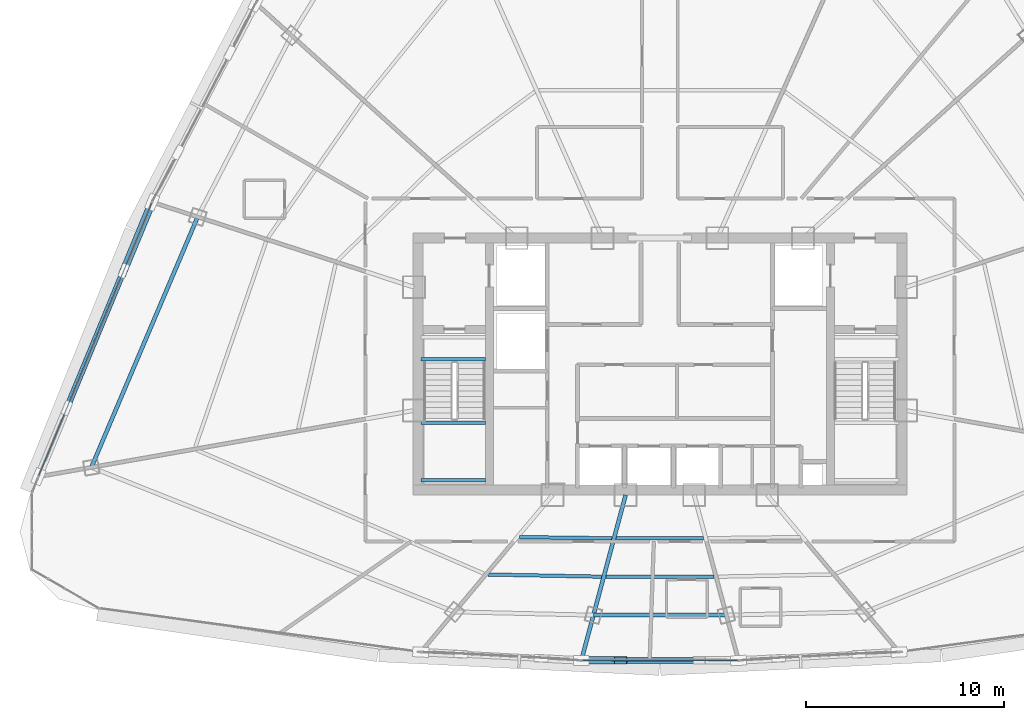
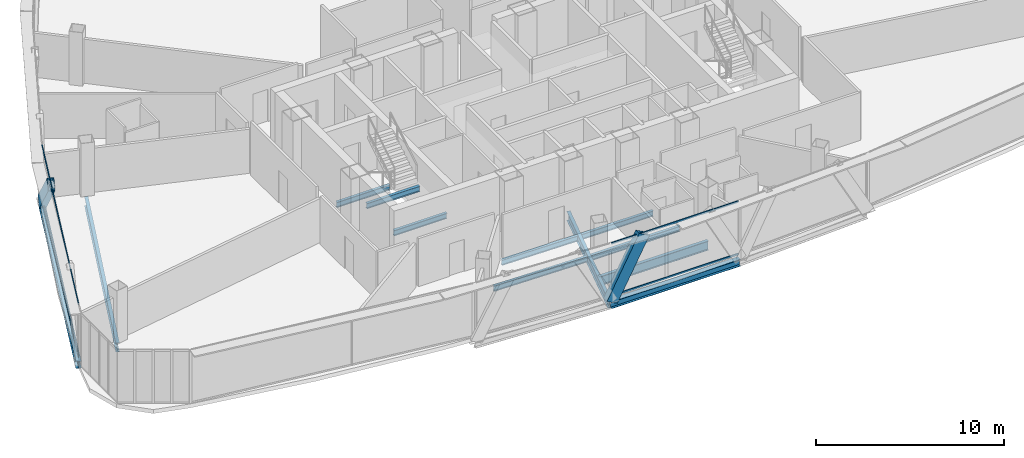
# One storey, part 7 of 40: 12 beams, 6 members, 2 elements without a shape of their own.
"""IFC4 building model written with IfcOpenShell, lengths in metres."""

from ifc_helpers import new_model, si_unit, direction, frame, origin, origin_2d, place, context, subcontext, project, spatial, hollow_rectangle, i_section, extrude, source, transform, mapped, material, layer, layer_set, material_profile, profile_set, type_object, element, aggregate, save


model = new_model("IFC4")

# Units and contexts
model_context = context("Model", 3, precision=1e-05, world=origin(), true_north=direction((0.0, 1.0)))
body_context = subcontext(model_context, "Body", "Model", "MODEL_VIEW")
ifc_project = project(units=[si_unit("LENGTHUNIT", "METRE"), si_unit("AREAUNIT", "SQUARE_METRE"), si_unit("VOLUMEUNIT", "CUBIC_METRE"), si_unit("PLANEANGLEUNIT", "RADIAN"), si_unit("MASSUNIT", "GRAM", prefix="KILO"), si_unit("THERMODYNAMICTEMPERATUREUNIT", "KELVIN"), si_unit("POWERUNIT", "WATT")], contexts=[model_context])

# Site, building, storey
site_placement = place(None, origin())
site = spatial("IfcSite", under=ifc_project, at=site_placement, CompositionType="ELEMENT")
building_placement = place(site_placement, origin())
building = spatial("IfcBuilding", under=site, at=building_placement, Name="Yunzhuo Pagoda Commons", CompositionType="ELEMENT")
storey_placement = place(building_placement, frame((0.0, 0.0, 288.75)))
storey = spatial("IfcBuildingStorey", under=building, at=storey_placement, Name="L72", CompositionType="ELEMENT", Elevation=288.75)

# Beams
ifc_material_1 = material(Name="Structural steel Q355B", Category="steel")
ifc_material_profile_1 = material_profile(ifc_material_1, i_section(OverallWidth=0.175048828125, OverallDepth=0.35009765625, WebThickness=0.007080078125, FlangeThickness=0.010986328125, at=origin_2d()), Name="Structural steel Q355B")
ifc_profile_set_1 = profile_set([ifc_material_profile_1], Name="Structural steel Q355B")
beam_type_1 = type_object("IfcBeamType", Name="B-JS2 Joist HN 350x175x7x11", PredefinedType="JOIST", material=ifc_profile_set_1)
shared_shape_1 = source(origin(), body_context, "Body", "SweptSolid", [
    extrude(i_section(OverallWidth=0.175048828125, OverallDepth=0.35009765625, WebThickness=0.007080078125, FlangeThickness=0.010986328125, at=origin_2d()), origin(), (0.0, 0.0, 1.0), 3.25),
])
for number, where, z_axis, x_axis, name in (
    (1, (35.949951171875, 28.0, 1.489990234375), (1.0, 0.0, 0.0), (0.0, 1.0, 0.0), "L72 ST1 landing support beam 78A"),
    (2, (35.949951171875, 30.89990234375, 1.489990234375), (1.0, 0.0, 0.0), (0.0, 1.0, 0.0), "L72 ST1 landing support beam 78B"),
    (3, (35.949951171875, 34.10009765625, -0.375), (1.0, 0.0, 0.0), (0.0, 1.0, 0.0), "L72 ST1 landing support beam 176A"),
):
    element("IfcBeam", number, at=place(storey_placement, frame(where, z_axis=z_axis, x_axis=x_axis)), inside=storey, type_object=beam_type_1, Name=name, PredefinedType="JOIST", context=body_context, shape_type="MappedRepresentation", body=[
        mapped(shared_shape_1, transform((0.0, 0.0, 0.0), scale=1.0)),
    ])
shared_shape_2 = source(origin(), body_context, "Body", "SweptSolid", [
    extrude(i_section(OverallWidth=0.175048828125, OverallDepth=0.35009765625, WebThickness=0.007080078125, FlangeThickness=0.010986328125, at=origin_2d()), origin(), (0.0, 0.0, 1.0), 4.64892578125),
])
beam_1_placement = place(storey_placement, frame((40.924072265625, 25.12890625, -0.43505859375), z_axis=(0.999924495467, -0.012288342626, 0.0), x_axis=(0.012288342626, 0.999924495467, 0.0)))
element("IfcBeam", 4, at=beam_1_placement, inside=storey, type_object=beam_type_1, Name="L72 composite ring joist 1.1", PredefinedType="JOIST", context=body_context, shape_type="MappedRepresentation", body=[
    mapped(shared_shape_2, transform((0.0, 0.0, 0.0), scale=1.0)),
])
shared_shape_3 = source(origin(), body_context, "Body", "SweptSolid", [
    extrude(i_section(OverallWidth=0.175048828125, OverallDepth=0.35009765625, WebThickness=0.007080078125, FlangeThickness=0.010986328125, at=origin_2d()), origin(), (0.0, 0.0, 1.0), 5.711669921875),
])
beam_2_placement = place(storey_placement, frame((39.343017578125, 23.24365234375, -0.43505859375), z_axis=(0.999819084998, -0.019020969297, 0.0), x_axis=(0.019020969297, 0.999819084998, 0.0)))
element("IfcBeam", 5, at=beam_2_placement, inside=storey, type_object=beam_type_1, Name="L72 composite ring joist 2.1", PredefinedType="JOIST", context=body_context, shape_type="MappedRepresentation", body=[
    mapped(shared_shape_3, transform((0.0, 0.0, 0.0), scale=1.0)),
])
ifc_material_profile_2 = material_profile(ifc_material_1, i_section(OverallWidth=0.199951171875, OverallDepth=0.60009765625, WebThickness=0.010986328125, FlangeThickness=0.01708984375, at=origin_2d()), Name="Structural steel Q355B")
ifc_profile_set_2 = profile_set([ifc_material_profile_2], Name="Structural steel Q355B")
beam_type_2 = type_object("IfcBeamType", Name="B-RG3 Beam HN 600x200x11x17", PredefinedType="BEAM", material=ifc_profile_set_2)
shared_shape_4 = source(origin(), body_context, "Body", "SweptSolid", [
    extrude(i_section(OverallWidth=0.199951171875, OverallDepth=0.60009765625, WebThickness=0.010986328125, FlangeThickness=0.01708984375, at=origin_2d()), origin(), (0.0, 0.0, 1.0), 6.701171875),
])
beam_3_placement = place(storey_placement, frame((44.6494140625, 21.195556640625, -0.56005859375), z_axis=(1.0, 0.0, 0.0), x_axis=(0.0, 1.0, 0.0)))
element("IfcBeam", 6, at=beam_3_placement, inside=storey, type_object=beam_type_2, Name="L72 column-ring beam 2", PredefinedType="BEAM", context=body_context, shape_type="MappedRepresentation", body=[
    mapped(shared_shape_4, transform((0.0, 0.0, 0.0), scale=1.0)),
])
shared_shape_5 = source(origin(), body_context, "Body", "SweptSolid", [
    extrude(i_section(OverallWidth=0.175048828125, OverallDepth=0.35009765625, WebThickness=0.007080078125, FlangeThickness=0.010986328125, at=origin_2d()), origin(), (0.0, 0.0, 1.0), 4.39453125),
])
beam_4_placement = place(storey_placement, frame((45.802734375, 25.070556640625, -0.43505859375), z_axis=(1.0, 0.0, 0.0), x_axis=(0.0, 1.0, 0.0)))
element("IfcBeam", 7, at=beam_4_placement, inside=storey, type_object=beam_type_1, Name="L72 composite ring joist 1.2", PredefinedType="JOIST", context=body_context, shape_type="MappedRepresentation", body=[
    mapped(shared_shape_5, transform((0.0, 0.0, 0.0), scale=1.0)),
])
shared_shape_6 = source(origin(), body_context, "Body", "SweptSolid", [
    extrude(i_section(OverallWidth=0.175048828125, OverallDepth=0.35009765625, WebThickness=0.007080078125, FlangeThickness=0.010986328125, at=origin_2d()), origin(), (0.0, 0.0, 1.0), 5.43310546875),
])
beam_5_placement = place(storey_placement, frame((45.283447265625, 23.133056640625, -0.43505859375), z_axis=(1.0, 0.0, 0.0), x_axis=(0.0, 1.0, 0.0)))
element("IfcBeam", 8, at=beam_5_placement, inside=storey, type_object=beam_type_1, Name="L72 composite ring joist 2.2", PredefinedType="JOIST", context=body_context, shape_type="MappedRepresentation", body=[
    mapped(shared_shape_6, transform((0.0, 0.0, 0.0), scale=1.0)),
])
shared_shape_7 = source(origin(), body_context, "Body", "SweptSolid", [
    extrude(i_section(OverallWidth=0.199951171875, OverallDepth=0.60009765625, WebThickness=0.010986328125, FlangeThickness=0.01708984375, at=origin_2d()), origin(), (0.0, 0.0, 1.0), 13.715576171875),
])
beam_6_placement = place(storey_placement, frame((24.697509765625, 41.271484375, -0.56005859375), z_axis=(-0.390733146992, -0.920503996646, 0.0), x_axis=(0.920503996646, -0.390733146992, 0.0)))
element("IfcBeam", 9, at=beam_6_placement, inside=storey, type_object=beam_type_2, Name="L72 column-ring beam 11", PredefinedType="BEAM", context=body_context, shape_type="MappedRepresentation", body=[
    mapped(shared_shape_7, transform((0.0, 0.0, 0.0), scale=1.0)),
])
shared_shape_8 = source(origin(), body_context, "Body", "SweptSolid", [
    extrude(i_section(OverallWidth=0.199951171875, OverallDepth=0.60009765625, WebThickness=0.010986328125, FlangeThickness=0.01708984375, at=origin_2d()), origin(), (0.0, 0.0, 1.0), 8.478759765625),
])
beam_7_placement = place(storey_placement, frame((44.077392578125, 19.060302734375, -0.56005859375), z_axis=(0.258836355835, 0.965921187726, 0.0), x_axis=(-0.965921187726, 0.258836355835, 0.0)))
element("IfcBeam", 10, at=beam_7_placement, inside=storey, type_object=beam_type_2, Name="L72 radial floor girder F1C2", PredefinedType="BEAM", context=body_context, shape_type="MappedRepresentation", body=[
    mapped(shared_shape_8, transform((0.0, 0.0, 0.0), scale=1.0)),
])
ifc_material_profile_3 = material_profile(ifc_material_1, i_section(OverallWidth=0.300048828125, OverallDepth=0.43994140625, WebThickness=0.010986328125, FlangeThickness=0.01806640625, at=origin_2d()), Name="Structural steel Q355B")
ifc_profile_set_3 = profile_set([ifc_material_profile_3], Name="Structural steel Q355B")
beam_type_3 = type_object("IfcBeamType", Name="B-SP2 Beam HM 440x300x11x18", PredefinedType="BEAM", material=ifc_profile_set_3)
shared_shape_9 = source(origin(), body_context, "Body", "SweptSolid", [
    extrude(i_section(OverallWidth=0.300048828125, OverallDepth=0.43994140625, WebThickness=0.010986328125, FlangeThickness=0.01806640625, at=origin_2d()), origin(), (0.0, 0.0, 1.0), 7.92578125),
])
beam_8_placement = place(storey_placement, frame((44.037109375, 18.910888671875, -0.479736328125), z_axis=(1.0, 0.0, 0.0), x_axis=(0.0, 1.0, 0.0)))
element("IfcBeam", 11, at=beam_8_placement, inside=storey, type_object=beam_type_3, Name="L72 facade edge spandrel beam F1.2", PredefinedType="BEAM", context=body_context, shape_type="MappedRepresentation", body=[
    mapped(shared_shape_9, transform((0.0, 0.0, 0.0), scale=1.0)),
])
shared_shape_10 = source(origin(), body_context, "Body", "SweptSolid", [
    extrude(i_section(OverallWidth=0.300048828125, OverallDepth=0.43994140625, WebThickness=0.010986328125, FlangeThickness=0.01806640625, at=origin_2d()), origin(), (0.0, 0.0, 1.0), 14.982421875),
])
beam_9_placement = place(storey_placement, frame((22.40087890625, 42.017578125, -0.479736328125), z_axis=(-0.382626675999, -0.923903039725, 0.0), x_axis=(0.923903039725, -0.382626675999, 0.0)))
element("IfcBeam", 12, at=beam_9_placement, inside=storey, type_object=beam_type_3, Name="L72 facade edge spandrel beam F3.3", PredefinedType="BEAM", context=body_context, shape_type="MappedRepresentation", body=[
    mapped(shared_shape_10, transform((0.0, 0.0, 0.0), scale=1.0)),
])

# Members
ifc_material_profile_4 = material_profile(ifc_material_1, hollow_rectangle(XDim=0.3798828125, YDim=0.719970703125, WallThickness=0.02001953125, at=origin_2d()), Name="Structural steel Q355B")
ifc_profile_set_4 = profile_set([ifc_material_profile_4], Name="Structural steel Q355B")
member_type_1 = type_object("IfcMemberType", Name="M-DL3 Brace BOX 720x380x20", PredefinedType="BRACE", material=ifc_profile_set_4)
shared_shape_11 = source(origin(), body_context, "Body", "SweptSolid", [
    extrude(hollow_rectangle(XDim=0.3798828125, YDim=0.719970703125, WallThickness=0.02001953125, at=origin_2d()), origin(), (0.0, 0.0, 1.0), 4.2236328125),
])
member_1_placement = place(storey_placement, frame((44.037109375, 18.910888671875, -0.260009765625), z_axis=(0.469135503, 0.0, 0.883126196998), x_axis=(0.0, 1.0, 0.0)))
element("IfcMember", 13, at=member_1_placement, inside=storey, type_object=member_type_1, Name="L72 facade diamond brace F1.2L", PredefinedType="BRACE", context=body_context, shape_type="MappedRepresentation", body=[
    mapped(shared_shape_11, transform((0.0, 0.0, 0.0), scale=1.0)),
])
shared_shape_12 = source(origin(), body_context, "Body", "SweptSolid", [
    extrude(hollow_rectangle(XDim=0.3798828125, YDim=0.719970703125, WallThickness=0.02001953125, at=origin_2d()), origin(), (0.0, 0.0, 1.0), 5.285888671875),
])
member_2_placement = place(storey_placement, frame((22.40087890625, 42.017578125, -0.260009765625), z_axis=(-0.27111603454, -0.654650540643, 0.705640677293), x_axis=(0.923904028933, -0.382624287416, 0.0)))
element("IfcMember", 14, at=member_2_placement, inside=storey, type_object=member_type_1, Name="L72 facade diamond brace F3.3L", PredefinedType="BRACE", context=body_context, shape_type="MappedRepresentation", body=[
    mapped(shared_shape_12, transform((0.0, 0.0, 0.0), scale=1.0)),
])

# Curtain wall, members
ifc_material_2 = material(Name="Anodized aluminium 6063-T6", Category="aluminium")
ifc_layer = layer(ifc_material_2, 0.139892578125)
ifc_layer_set = layer_set([ifc_layer], Name="Anodized aluminium 6063-T6")
curtain_wall_type = type_object("IfcCurtainWallType", Name="CW-HI High-Zone Ribbon Curtain Wall", PredefinedType="NOTDEFINED", material=ifc_layer_set)
curtain_wall_1_placement = place(storey_placement, origin())
curtain_wall_1 = element("IfcCurtainWall", 15, at=curtain_wall_1_placement, inside=storey, type_object=curtain_wall_type, Name="L72 curtain wall CW-L72-F1B3", PredefinedType="NOTDEFINED")
ifc_material_profile_5 = material_profile(ifc_material_2, hollow_rectangle(XDim=0.054931640625, YDim=0.1201171875, WallThickness=0.00341796875, at=origin_2d()), Name="Anodized aluminium 6063-T6")
ifc_profile_set_5 = profile_set([ifc_material_profile_5], Name="Anodized aluminium 6063-T6")
member_type_2 = type_object("IfcMemberType", Name="CW-HI-T Transom RHS 120x55x3.5", PredefinedType="USERDEFINED", material=ifc_profile_set_5)
shared_shape_13 = source(origin(), body_context, "Body", "SweptSolid", [
    extrude(hollow_rectangle(XDim=0.054931640625, YDim=0.1201171875, WallThickness=0.00341796875, at=origin_2d()), origin(), (0.0, 0.0, 1.0), 7.8056640625),
])
member_3_placement = place(storey_placement, frame((44.09716796875, 18.910888671875, 0.027587890625), z_axis=(1.0, 0.0, 0.0), x_axis=(0.0, 1.0, 0.0)))
member_3 = element("IfcMember", 16, at=member_3_placement, type_object=member_type_2, Name="CW transom 1.1", ObjectType="TRANSOM", PredefinedType="USERDEFINED", context=body_context, shape_type="MappedRepresentation", body=[
    mapped(shared_shape_13, transform((0.0, 0.0, 0.0), scale=1.0)),
])
member_4_placement = place(storey_placement, frame((44.09716796875, 18.910888671875, 3.4423828125), z_axis=(1.0, 0.0, 0.0), x_axis=(0.0, 1.0, 0.0)))
member_4 = element("IfcMember", 17, at=member_4_placement, type_object=member_type_2, Name="CW transom 1.2", ObjectType="TRANSOM", PredefinedType="USERDEFINED", context=body_context, shape_type="MappedRepresentation", body=[
    mapped(shared_shape_13, transform((0.0, 0.0, 0.0), scale=1.0)),
])
aggregate(curtain_wall_1, [member_3, member_4])

curtain_wall_2_placement = place(storey_placement, origin())
curtain_wall_2 = element("IfcCurtainWall", 18, at=curtain_wall_2_placement, inside=storey, type_object=curtain_wall_type, Name="L72 curtain wall CW-L72-F3B4", PredefinedType="NOTDEFINED")
shared_shape_14 = source(origin(), body_context, "Body", "SweptSolid", [
    extrude(hollow_rectangle(XDim=0.054931640625, YDim=0.1201171875, WallThickness=0.00341796875, at=origin_2d()), origin(), (0.0, 0.0, 1.0), 14.862548828125),
])
member_5_placement = place(storey_placement, frame((22.3779296875, 41.962158203125, 0.027587890625), z_axis=(-0.382626960401, -0.923902921943, 0.0), x_axis=(0.923902921943, -0.382626960401, 0.0)))
member_5 = element("IfcMember", 19, at=member_5_placement, type_object=member_type_2, Name="CW transom 1.1", ObjectType="TRANSOM", PredefinedType="USERDEFINED", context=body_context, shape_type="MappedRepresentation", body=[
    mapped(shared_shape_14, transform((0.0, 0.0, 0.0), scale=1.0)),
])
member_6_placement = place(storey_placement, frame((22.3779296875, 41.962158203125, 3.4423828125), z_axis=(-0.382626960401, -0.923902921943, 0.0), x_axis=(0.923902921943, -0.382626960401, 0.0)))
member_6 = element("IfcMember", 20, at=member_6_placement, type_object=member_type_2, Name="CW transom 1.2", ObjectType="TRANSOM", PredefinedType="USERDEFINED", context=body_context, shape_type="MappedRepresentation", body=[
    mapped(shared_shape_14, transform((0.0, 0.0, 0.0), scale=1.0)),
])
aggregate(curtain_wall_2, [member_5, member_6])

save(model, "model.ifc")
